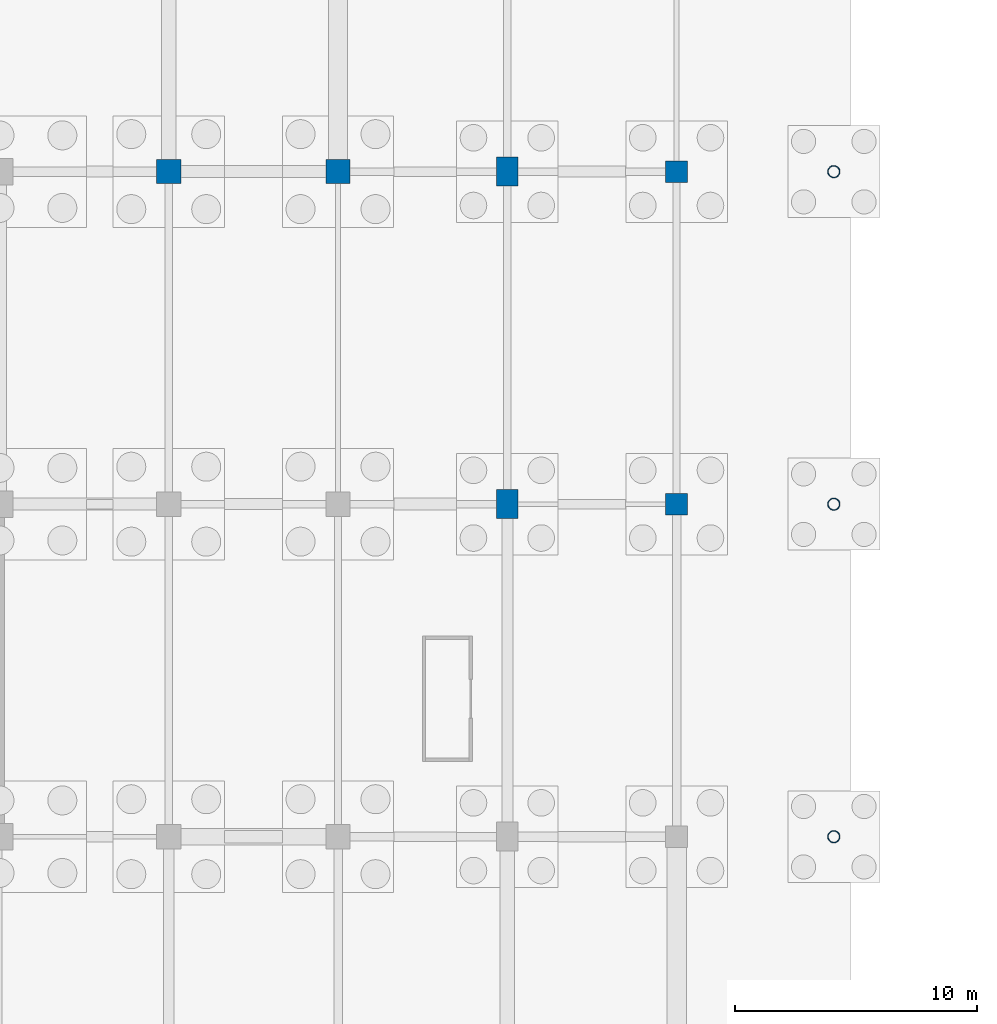
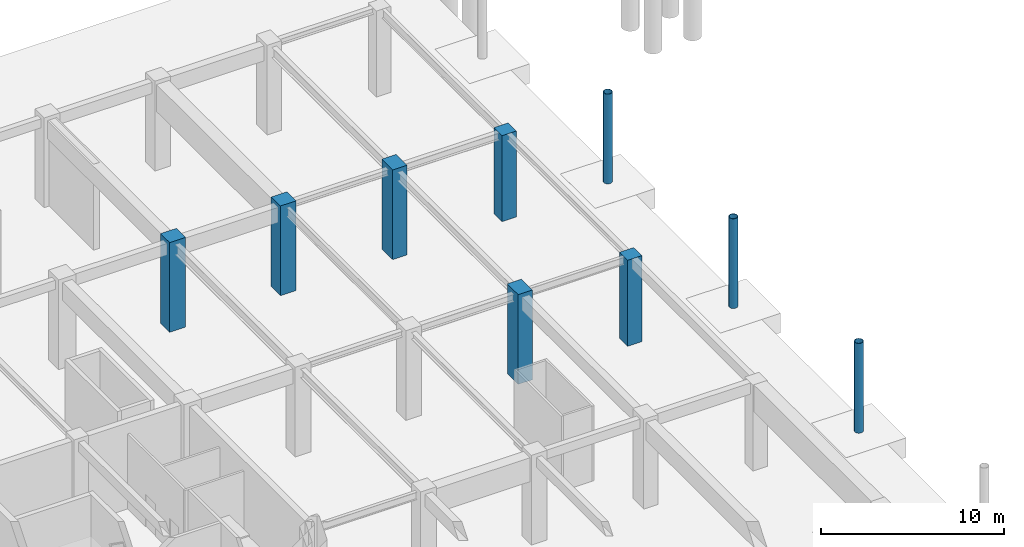
# One storey, part 15 of 62: 9 columns.
"""IFC4 building model written with IfcOpenShell, lengths in metres."""

from ifc_helpers import new_model, si_unit, direction, frame, origin, origin_2d, place, context, subcontext, project, spatial, rectangle, hollow_circle, extrude, material, material_profile, profile_set, type_object, element, save


model = new_model("IFC4")

# Units and contexts
model_context = context("Model", 3, precision=1e-05, world=origin(), true_north=direction((0.0, 1.0)))
body_context = subcontext(model_context, "Body", "Model", "MODEL_VIEW")
ifc_project = project(units=[si_unit("LENGTHUNIT", "METRE"), si_unit("AREAUNIT", "SQUARE_METRE"), si_unit("VOLUMEUNIT", "CUBIC_METRE"), si_unit("PLANEANGLEUNIT", "RADIAN"), si_unit("MASSUNIT", "GRAM", prefix="KILO")], contexts=[model_context])

# Site, building, storey
site_placement = place(None, origin())
site = spatial("IfcSite", under=ifc_project, at=site_placement, CompositionType="ELEMENT")
building_placement = place(site_placement, origin())
building = spatial("IfcBuilding", under=site, at=building_placement, Name="Linyun Crest Stadium", CompositionType="ELEMENT")
storey_placement = place(building_placement, frame((0.0, 0.0, -6.0)))
storey = spatial("IfcBuildingStorey", under=building, at=storey_placement, Name="B1", CompositionType="ELEMENT", Elevation=-6.0)

# Columns
ifc_material_1 = material(Name="Concrete C50", Category="concrete")
ifc_material_profile_1 = material_profile(ifc_material_1, rectangle(XDim=0.89990234375, YDim=0.89990234375, at=origin_2d()), Name="RC 900x900")
ifc_profile_set_1 = profile_set([ifc_material_profile_1], Name="Concrete C50")
column_type_1 = type_object("IfcColumnType", Name="C04", PredefinedType="COLUMN", material=ifc_profile_set_1)
for number, where, z_axis, x_axis, name in (
    (1, (-42.0, 15.875, 0.0), (0.0, 0.0, 1.0), (1.0, 0.0, 0.0), "Column C04 B1 294"),
    (2, (-42.0, 29.625, 0.0), (0.0, 0.0, 1.0), (1.0, 0.0, 0.0), "Column C04 B1 295"),
):
    element("IfcColumn", number, at=place(storey_placement, frame(where, z_axis=z_axis, x_axis=x_axis)), inside=storey, type_object=column_type_1, Name=name, PredefinedType="COLUMN", context=body_context, shape_type="SweptSolid", body=[
        extrude(rectangle(XDim=0.89990234375, YDim=0.89990234375, at=origin_2d()), origin(), (0.0, 0.0, 1.0), 5.75),
    ])
ifc_material_2 = material(Name="Concrete C50", Category="concrete")
ifc_material_profile_2 = material_profile(ifc_material_2, rectangle(XDim=1.0, YDim=1.0, at=origin_2d()), Name="RC 1000x1000")
ifc_profile_set_2 = profile_set([ifc_material_profile_2], Name="Concrete C50")
column_type_2 = type_object("IfcColumnType", Name="C05", PredefinedType="COLUMN", material=ifc_profile_set_2)
for number, where, z_axis, x_axis, name in (
    (3, (-63.0, 29.625, 0.0), (0.0, 0.0, 1.0), (1.0, 0.0, 0.0), "Column C05 B1 231"),
    (4, (-56.0, 29.625, 0.0), (0.0, 0.0, 1.0), (1.0, 0.0, 0.0), "Column C05 B1 265"),
):
    element("IfcColumn", number, at=place(storey_placement, frame(where, z_axis=z_axis, x_axis=x_axis)), inside=storey, type_object=column_type_2, Name=name, PredefinedType="COLUMN", context=body_context, shape_type="SweptSolid", body=[
        extrude(rectangle(XDim=1.0, YDim=1.0, at=origin_2d()), origin(), (0.0, 0.0, 1.0), 5.998046875),
    ])
ifc_material_3 = material(Name="Concrete C50", Category="concrete")
ifc_material_profile_3 = material_profile(ifc_material_3, rectangle(XDim=0.89990234375, YDim=1.199951171875, at=origin_2d()), Name="RC 1200x900")
ifc_profile_set_3 = profile_set([ifc_material_profile_3], Name="Concrete C50")
column_type_3 = type_object("IfcColumnType", Name="C11", PredefinedType="COLUMN", material=ifc_profile_set_3)
for number, where, z_axis, x_axis, name in (
    (5, (-49.0, 15.875, 0.0), (0.0, 0.0, 1.0), (1.0, 0.0, 0.0), "Column C11 B1 283"),
    (6, (-49.0, 29.625, 0.0), (0.0, 0.0, 1.0), (1.0, 0.0, 0.0), "Column C11 B1 285"),
):
    element("IfcColumn", number, at=place(storey_placement, frame(where, z_axis=z_axis, x_axis=x_axis)), inside=storey, type_object=column_type_3, Name=name, PredefinedType="COLUMN", context=body_context, shape_type="SweptSolid", body=[
        extrude(rectangle(XDim=0.89990234375, YDim=1.199951171875, at=origin_2d()), origin(), (0.0, 0.0, 1.0), 5.998046875),
    ])
ifc_material_4 = material(Name="Steel Q355C", Category="steel")
ifc_material_profile_4 = material_profile(ifc_material_4, hollow_circle(Radius=0.25390625, WallThickness=0.02490234375, at=origin_2d()), Name="CHS 508x25")
ifc_profile_set_4 = profile_set([ifc_material_profile_4], Name="Steel Q355C")
column_type_4 = type_object("IfcColumnType", Name="SC05", PredefinedType="COLUMN", material=ifc_profile_set_4)
for number, where, z_axis, x_axis, name in (
    (7, (-35.5, 2.125, 0.0), (0.0, 0.0, 1.0), (1.0, 0.0, 0.0), "Arch colonnade column SC05 B1 10"),
    (8, (-35.5, 15.875, 0.0), (0.0, 0.0, 1.0), (1.0, 0.0, 0.0), "Arch colonnade column SC05 B1 12"),
    (9, (-35.5, 29.625, 0.0), (0.0, 0.0, 1.0), (1.0, 0.0, 0.0), "Arch colonnade column SC05 B1 14"),
):
    element("IfcColumn", number, at=place(storey_placement, frame(where, z_axis=z_axis, x_axis=x_axis)), inside=storey, type_object=column_type_4, Name=name, PredefinedType="COLUMN", context=body_context, shape_type="SweptSolid", body=[
        extrude(hollow_circle(Radius=0.25390625, WallThickness=0.02490234375, at=origin_2d()), origin(), (0.0, 0.0, 1.0), 6.0),
    ])

save(model, "model.ifc")
